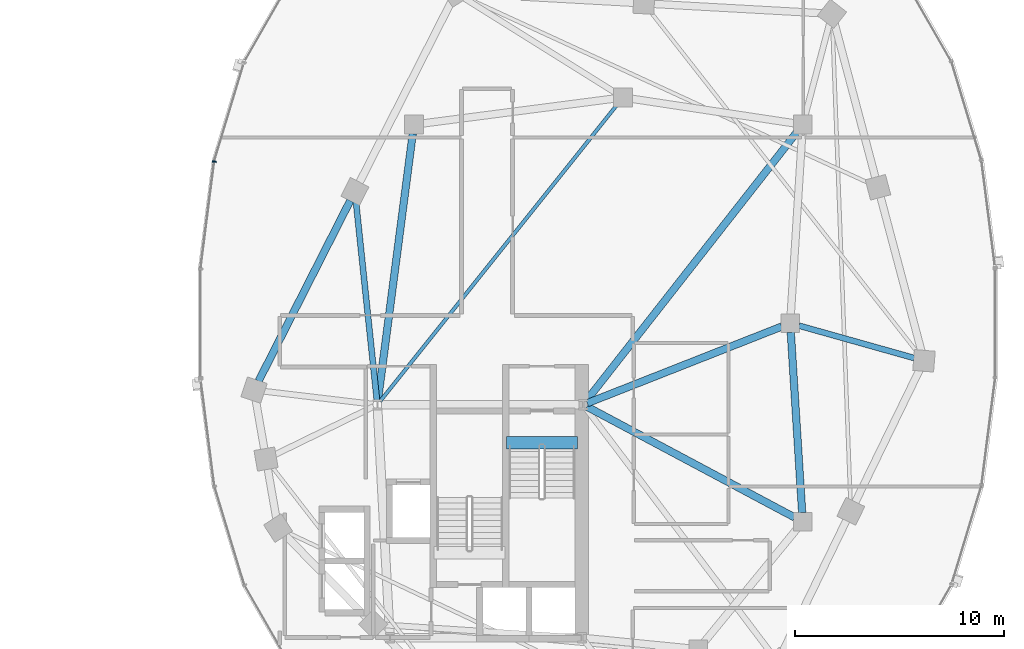
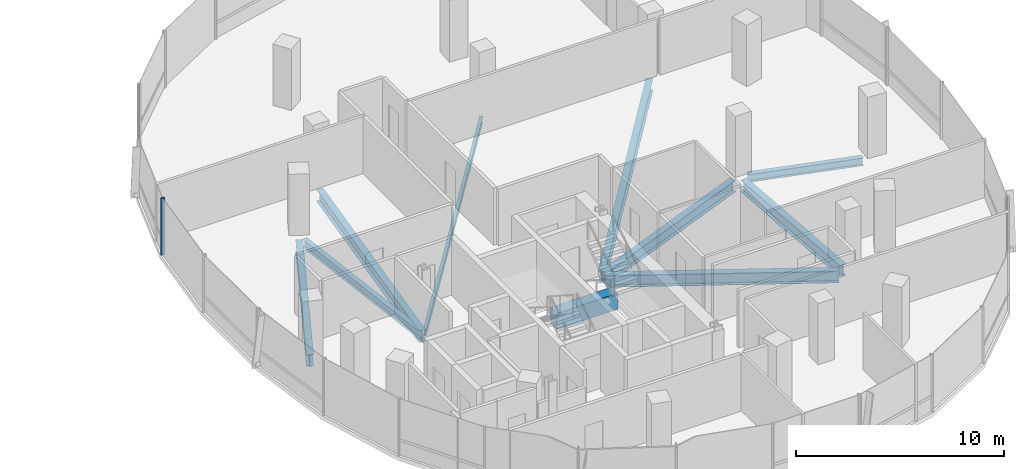
# One storey, part 7 of 22: 10 beams, 1 member, 1 element without a shape of its own.
"""IFC4 building model written with IfcOpenShell, lengths in metres."""

from ifc_helpers import new_model, si_unit, direction, frame, origin, origin_2d, place, context, subcontext, project, spatial, rectangle, i_section, extrude, material, material_profile, profile_set, type_object, element, aggregate, save


model = new_model("IFC4")

# Units and contexts
model_context = context("Model", 3, precision=1e-05, world=origin(), true_north=direction((0.0, 1.0)))
body_context = subcontext(model_context, "Body", "Model", "MODEL_VIEW")
ifc_project = project(units=[si_unit("LENGTHUNIT", "METRE"), si_unit("AREAUNIT", "SQUARE_METRE"), si_unit("VOLUMEUNIT", "CUBIC_METRE"), si_unit("PLANEANGLEUNIT", "RADIAN"), si_unit("MASSUNIT", "GRAM", prefix="KILO"), si_unit("THERMODYNAMICTEMPERATUREUNIT", "KELVIN"), si_unit("POWERUNIT", "WATT")], contexts=[model_context])

# Site, building, storey
site_placement = place(None, origin())
site = spatial("IfcSite", under=ifc_project, at=site_placement, CompositionType="ELEMENT")
building_placement = place(site_placement, origin())
building = spatial("IfcBuilding", under=site, at=building_placement, Name="Cundina Bronze Exchange", CompositionType="ELEMENT")
storey_placement = place(building_placement, frame((0.0, 0.0, 165.60009765625)))
storey = spatial("IfcBuildingStorey", under=building, at=storey_placement, Name="L43", CompositionType="ELEMENT", Elevation=165.60009765625)

# Beams
ifc_material_1 = material(Name="Concrete C60/75", Category="concrete")
ifc_material_profile_1 = material_profile(ifc_material_1, rectangle(XDim=0.60009765625, YDim=0.949951171875, at=origin_2d()), Name="RC600X950", Category="concrete")
ifc_profile_set_1 = profile_set([ifc_material_profile_1], Name="Concrete C60/75")
beam_type_1 = type_object("IfcBeamType", Name="BM-COUP-RC950", PredefinedType="LINTEL", material=ifc_profile_set_1)
beam_1_placement = place(storey_placement, frame((27.6201171875, -5.719970703125, -0.47509765625), z_axis=(1.0, 0.0, 0.0), x_axis=(0.0, 1.0, 0.0)))
element("IfcBeam", 1, at=beam_1_placement, inside=storey, type_object=beam_type_1, Name="L43 Stair E1 Landing Header Beam", PredefinedType="LINTEL", context=body_context, shape_type="SweptSolid", body=[
    extrude(rectangle(XDim=0.60009765625, YDim=0.949951171875, at=origin_2d()), origin(), (0.0, 0.0, 1.0), 3.39990234375),
])
ifc_material_2 = material(Name="Steel ASTM A992 Grade 50", Category="steel")
ifc_material_profile_2 = material_profile(ifc_material_2, i_section(OverallWidth=0.280029296875, OverallDepth=0.462890625, WebThickness=0.0107421875, FlangeThickness=0.017333984375, FilletRadius=0.011962890625, at=origin_2d()), Name="W18X76", Category="steel")
ifc_profile_set_2 = profile_set([ifc_material_profile_2], Name="Steel ASTM A992 Grade 50")
beam_type_2 = type_object("IfcBeamType", Name="BM-FLR-W18A", PredefinedType="BEAM", material=ifc_profile_set_2)
beam_2_placement = place(storey_placement, frame((41.62158203125, -0.11865234375, -0.4716796875), z_axis=(0.962649202648, -0.270751754643, 0.0), x_axis=(0.270751754643, 0.962649202648, 0.0)))
element("IfcBeam", 2, at=beam_2_placement, inside=storey, type_object=beam_type_2, Name="L43 Leg E Chordal Floor Beam 08", PredefinedType="BEAM", context=body_context, shape_type="SweptSolid", body=[
    extrude(i_section(OverallWidth=0.280029296875, OverallDepth=0.462890625, WebThickness=0.0107421875, FlangeThickness=0.017333984375, FilletRadius=0.011962890625, at=origin_2d()), origin(), (0.0, 0.0, 1.0), 5.72216796875),
])
beam_3_placement = place(storey_placement, frame((21.4287109375, -3.697021484375, -0.4716796875), z_axis=(-0.104834931651, 0.9944896365, 0.0), x_axis=(-0.9944896365, -0.104834931651, 0.0)))
element("IfcBeam", 3, at=beam_3_placement, inside=storey, type_object=beam_type_2, Name="L43 Leg E Chordal Floor Beam 13", PredefinedType="BEAM", context=body_context, shape_type="SweptSolid", body=[
    extrude(i_section(OverallWidth=0.280029296875, OverallDepth=0.462890625, WebThickness=0.0107421875, FlangeThickness=0.017333984375, FilletRadius=0.011962890625, at=origin_2d()), origin(), (0.0, 0.0, 1.0), 9.564453125),
])
ifc_material_profile_3 = material_profile(ifc_material_2, i_section(OverallWidth=0.172119140625, OverallDepth=0.35791015625, WebThickness=0.0078125, FlangeThickness=0.01318359375, FilletRadius=0.010009765625, at=origin_2d()), Name="W14X38", Category="steel")
ifc_profile_set_3 = profile_set([ifc_material_profile_3], Name="Steel ASTM A992 Grade 50")
beam_type_3 = type_object("IfcBeamType", Name="BM-JST-W14", PredefinedType="JOIST", material=ifc_profile_set_3)
beam_4_placement = place(storey_placement, frame((21.577392578125, -3.740478515625, -0.419189453125), z_axis=(0.624370675223, 0.781128196854, 0.0), x_axis=(-0.781128196854, 0.624370675223, 0.0)))
element("IfcBeam", 4, at=beam_4_placement, inside=storey, type_object=beam_type_3, Name="L43 E Interior Core-to-Ring Joist 2", PredefinedType="JOIST", context=body_context, shape_type="SweptSolid", body=[
    extrude(i_section(OverallWidth=0.172119140625, OverallDepth=0.35791015625, WebThickness=0.0078125, FlangeThickness=0.01318359375, FilletRadius=0.010009765625, at=origin_2d()), origin(), (0.0, 0.0, 1.0), 18.177001953125),
])
ifc_material_profile_4 = material_profile(ifc_material_2, i_section(OverallWidth=0.35498046875, OverallDepth=0.695068359375, WebThickness=0.015380859375, FlangeThickness=0.02490234375, FilletRadius=0.01806640625, at=origin_2d()), Name="W27X146", Category="steel")
ifc_profile_set_4 = profile_set([ifc_material_profile_4], Name="Steel ASTM A992 Grade 50")
beam_type_4 = type_object("IfcBeamType", Name="BM-RING-W27", PredefinedType="USERDEFINED", material=ifc_profile_set_4)
beam_5_placement = place(storey_placement, frame((41.7724609375, -9.06298828125, -0.587646484375), z_axis=(-0.063046519736, 0.998010589297, 0.0), x_axis=(-0.998010589297, -0.063046519736, 0.0)))
element("IfcBeam", 5, at=beam_5_placement, inside=storey, type_object=beam_type_4, Name="L43 E Inner Structural Ring Girder 03", ObjectType="GIRDER", PredefinedType="USERDEFINED", context=body_context, shape_type="SweptSolid", body=[
    extrude(i_section(OverallWidth=0.35498046875, OverallDepth=0.695068359375, WebThickness=0.015380859375, FlangeThickness=0.02490234375, FilletRadius=0.01806640625, at=origin_2d()), origin(), (0.0, 0.0, 1.0), 8.64306640625),
])
beam_6_placement = place(storey_placement, frame((23.143310546875, 9.065673828125, -0.587646484375), z_axis=(-0.129507030047, -0.991578503785, 0.0), x_axis=(0.991578503785, -0.129507030047, 0.0)))
element("IfcBeam", 6, at=beam_6_placement, inside=storey, type_object=beam_type_4, Name="L43 E Inner Structural Ring Girder 07", ObjectType="GIRDER", PredefinedType="USERDEFINED", context=body_context, shape_type="SweptSolid", body=[
    extrude(i_section(OverallWidth=0.35498046875, OverallDepth=0.695068359375, WebThickness=0.015380859375, FlangeThickness=0.02490234375, FilletRadius=0.01806640625, at=origin_2d()), origin(), (0.0, 0.0, 1.0), 12.871826171875),
])
beam_7_placement = place(storey_placement, frame((31.48974609375, -3.8251953125, -0.587646484375), z_axis=(0.930405617189, 0.36653156413, 0.0), x_axis=(-0.36653156413, 0.930405617189, 0.0)))
element("IfcBeam", 7, at=beam_7_placement, inside=storey, type_object=beam_type_4, Name="L43 E Core-to-Waist Tie Beam 1", ObjectType="GIRDER", PredefinedType="USERDEFINED", context=body_context, shape_type="SweptSolid", body=[
    extrude(i_section(OverallWidth=0.35498046875, OverallDepth=0.695068359375, WebThickness=0.015380859375, FlangeThickness=0.02490234375, FilletRadius=0.01806640625, at=origin_2d()), origin(), (0.0, 0.0, 1.0), 9.99853515625),
])
beam_8_placement = place(storey_placement, frame((31.47998046875, -3.99609375, -0.587646484375), z_axis=(0.88235534237, -0.470583733028, 0.0), x_axis=(0.470583733028, 0.88235534237, 0.0)))
element("IfcBeam", 8, at=beam_8_placement, inside=storey, type_object=beam_type_4, Name="L43 E Core-to-Waist Tie Beam 2", ObjectType="GIRDER", PredefinedType="USERDEFINED", context=body_context, shape_type="SweptSolid", body=[
    extrude(i_section(OverallWidth=0.35498046875, OverallDepth=0.695068359375, WebThickness=0.015380859375, FlangeThickness=0.02490234375, FilletRadius=0.01806640625, at=origin_2d()), origin(), (0.0, 0.0, 1.0), 11.258056640625),
])
beam_9_placement = place(storey_placement, frame((31.42578125, -3.739501953125, -0.587646484375), z_axis=(0.616779109924, 0.787136283982, 0.0), x_axis=(-0.787136283982, 0.616779109924, 0.0)))
element("IfcBeam", 9, at=beam_9_placement, inside=storey, type_object=beam_type_4, Name="L43 E Core-to-Waist Tie Beam 3", ObjectType="GIRDER", PredefinedType="USERDEFINED", context=body_context, shape_type="SweptSolid", body=[
    extrude(i_section(OverallWidth=0.35498046875, OverallDepth=0.695068359375, WebThickness=0.015380859375, FlangeThickness=0.02490234375, FilletRadius=0.01806640625, at=origin_2d()), origin(), (0.0, 0.0, 1.0), 16.3818359375),
])
beam_10_placement = place(storey_placement, frame((20.154052734375, 5.864990234375, -0.587646484375), z_axis=(-0.452834585354, -0.891594548159, 0.0), x_axis=(0.891594548159, -0.452834585354, 0.0)))
element("IfcBeam", 10, at=beam_10_placement, inside=storey, type_object=beam_type_4, Name="L43 E Perimeter Ring Girder 13", ObjectType="GIRDER", PredefinedType="USERDEFINED", context=body_context, shape_type="SweptSolid", body=[
    extrude(i_section(OverallWidth=0.35498046875, OverallDepth=0.695068359375, WebThickness=0.015380859375, FlangeThickness=0.02490234375, FilletRadius=0.01806640625, at=origin_2d()), origin(), (0.0, 0.0, 1.0), 9.67919921875),
])

# Curtain wall, member
ifc_material_3 = material(Name="Anodised Bronze Aluminium 6063-T6", Category="aluminium")
curtain_wall_type = type_object("IfcCurtainWallType", Name="CWS-WST-PIN", PredefinedType="NOTDEFINED", material=ifc_material_3)
curtain_wall_placement = place(storey_placement, origin())
curtain_wall = element("IfcCurtainWall", 11, at=curtain_wall_placement, inside=storey, type_object=curtain_wall_type, Name="L43 CW-04 Curtain Wall Run CWR-L43-E2", PredefinedType="NOTDEFINED")
ifc_material_profile_5 = material_profile(ifc_material_3, rectangle(XDim=0.070068359375, YDim=0.18994140625, at=origin_2d()), Name="AL70X190", Category="aluminium")
ifc_profile_set_5 = profile_set([ifc_material_profile_5], Name="Anodised Bronze Aluminium 6063-T6")
member_type = type_object("IfcMemberType", Name="CWM-MUL-190", PredefinedType="MULLION", material=ifc_profile_set_5)
member_placement = place(storey_placement, frame((13.642822265625, 7.731689453125, 0.0), z_axis=(0.0, 0.0, 1.0), x_axis=(-0.126545236492, -0.991960837494, 0.0)))
member = element("IfcMember", 12, at=member_placement, type_object=member_type, Name="CW-04 Mullion 6", PredefinedType="MULLION", context=body_context, shape_type="SweptSolid", body=[
    extrude(rectangle(XDim=0.070068359375, YDim=0.18994140625, at=origin_2d()), origin(), (0.0, 0.0, 1.0), 3.35986328125),
])
aggregate(curtain_wall, [member])

save(model, "model.ifc")
